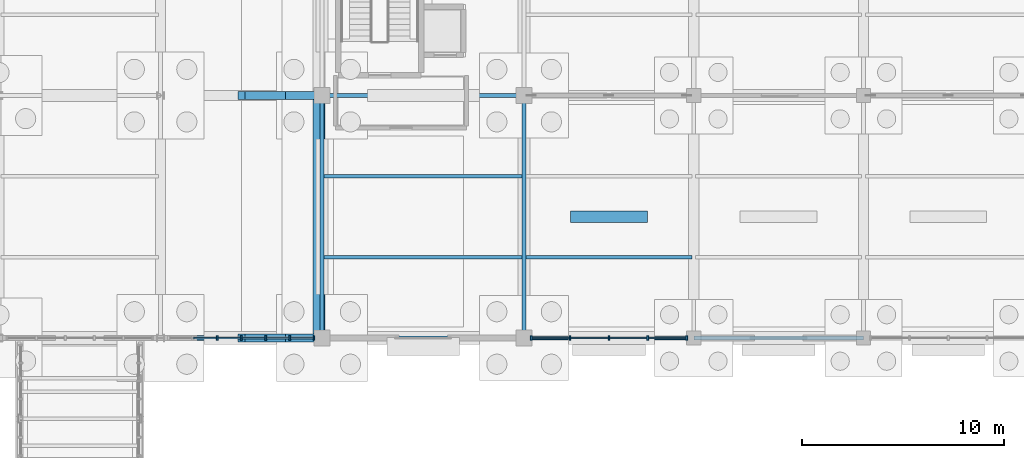
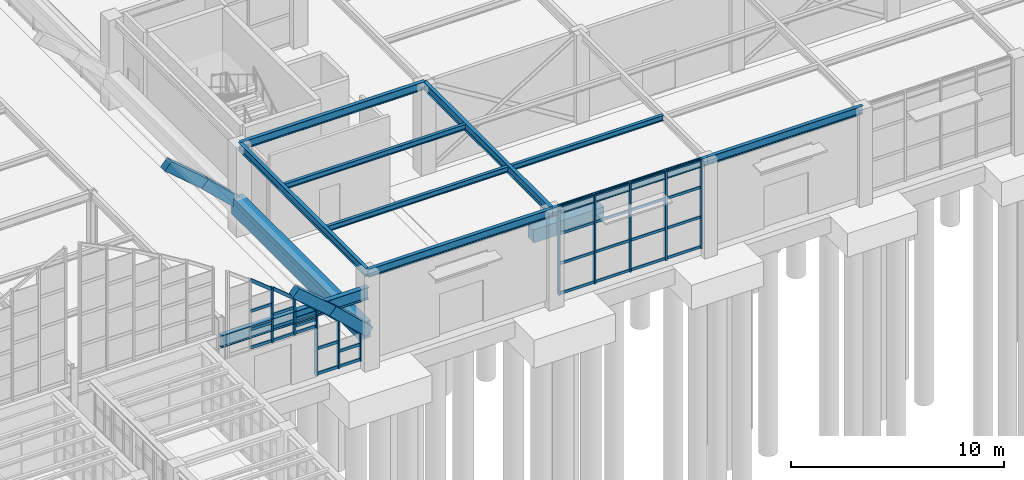
# One storey, part 46 of 129: 45 members, 16 beams, 3 elements without a shape of their own.
"""IFC4 building model written with IfcOpenShell, lengths in metres."""

from ifc_helpers import new_model, si_unit, direction, frame, origin, origin_2d, place, context, subcontext, project, spatial, rectangle, i_section, extrude, material, layer, layer_set, material_profile, profile_set, type_object, element, aggregate, save


model = new_model("IFC4")

# Units and contexts
model_context = context("Model", 3, precision=1e-05, world=origin(), true_north=direction((0.0, 1.0)))
body_context = subcontext(model_context, "Body", "Model", "MODEL_VIEW")
ifc_project = project(units=[si_unit("LENGTHUNIT", "METRE"), si_unit("AREAUNIT", "SQUARE_METRE"), si_unit("VOLUMEUNIT", "CUBIC_METRE"), si_unit("PLANEANGLEUNIT", "RADIAN"), si_unit("MASSUNIT", "GRAM", prefix="KILO")], contexts=[model_context])

# Site, building, storey
site_placement = place(None, origin())
site = spatial("IfcSite", under=ifc_project, at=site_placement, CompositionType="ELEMENT")
building_placement = place(site_placement, origin())
building = spatial("IfcBuilding", under=site, at=building_placement, Name="Sitalva Quay Ferry Terminal", CompositionType="ELEMENT")
storey_placement = place(building_placement, origin())
storey = spatial("IfcBuildingStorey", under=building, at=storey_placement, Name="L01", CompositionType="ELEMENT", Elevation=0.0)

# Beams
ifc_material_1 = material(Name="Concrete C40/50", Category="concrete")
ifc_material_profile_1 = material_profile(ifc_material_1, rectangle(XDim=0.39990234375, YDim=0.550048828125, at=origin_2d()), Name="RC400x550")
ifc_profile_set_1 = profile_set([ifc_material_profile_1], Name="Concrete C40/50")
beam_type_1 = type_object("IfcBeamType", Name="Beam_Arch_RC400x550", PredefinedType="BEAM", material=ifc_profile_set_1)
beam_1_placement = place(storey_placement, frame((70.0, 6.0, 5.219482421875), z_axis=(0.760297282494, 0.0, -0.649575278342), x_axis=(0.0, 1.0, 0.0)))
element("IfcBeam", 1, at=beam_1_placement, inside=storey, type_object=beam_type_1, Name="Vault V1 transverse arch rib 1.15", PredefinedType="BEAM", context=body_context, shape_type="SweptSolid", body=[
    extrude(rectangle(XDim=0.39990234375, YDim=0.550048828125, at=origin_2d()), origin(), (0.0, 0.0, 1.0), 2.630615234375),
])
beam_2_placement = place(storey_placement, frame((72.0, 6.0, 3.500732421875), z_axis=(0.725680279623, 0.0, -0.688032071757), x_axis=(0.0, 1.0, 0.0)))
element("IfcBeam", 2, at=beam_2_placement, inside=storey, type_object=beam_type_1, Name="Vault V1 transverse arch rib 1.16", PredefinedType="BEAM", context=body_context, shape_type="SweptSolid", body=[
    extrude(rectangle(XDim=0.39990234375, YDim=0.550048828125, at=origin_2d()), origin(), (0.0, 0.0, 1.0), 2.756103515625),
])
beam_3_placement = place(storey_placement, frame((70.0, 18.0, 5.219482421875), z_axis=(0.760297282494, 0.0, -0.649575278342), x_axis=(0.0, 1.0, 0.0)))
element("IfcBeam", 3, at=beam_3_placement, inside=storey, type_object=beam_type_1, Name="Vault V1 transverse arch rib 2.15", PredefinedType="BEAM", context=body_context, shape_type="SweptSolid", body=[
    extrude(rectangle(XDim=0.39990234375, YDim=0.550048828125, at=origin_2d()), origin(), (0.0, 0.0, 1.0), 2.630615234375),
])
beam_4_placement = place(storey_placement, frame((72.0, 18.0, 3.500732421875), z_axis=(0.725680279623, 0.0, -0.688032071757), x_axis=(0.0, 1.0, 0.0)))
element("IfcBeam", 4, at=beam_4_placement, inside=storey, type_object=beam_type_1, Name="Vault V1 transverse arch rib 2.16", PredefinedType="BEAM", context=body_context, shape_type="SweptSolid", body=[
    extrude(rectangle(XDim=0.39990234375, YDim=0.550048828125, at=origin_2d()), origin(), (0.0, 0.0, 1.0), 2.756103515625),
])
ifc_material_2 = material(Name="Concrete C40/50", Category="concrete")
ifc_material_profile_2 = material_profile(ifc_material_2, rectangle(XDim=0.60009765625, YDim=0.949951171875, at=origin_2d()), Name="RC600x950")
ifc_profile_set_2 = profile_set([ifc_material_profile_2], Name="Concrete C40/50")
beam_type_2 = type_object("IfcBeamType", Name="Beam_Edge_RC600x950", PredefinedType="BEAM", material=ifc_profile_set_2)
beam_5_placement = place(storey_placement, frame((73.85009765625, 6.0, 1.625), z_axis=(0.0, 1.0, 0.0), x_axis=(-1.0, 0.0, 0.0)))
element("IfcBeam", 5, at=beam_5_placement, inside=storey, type_object=beam_type_2, Name="Vault V1 longitudinal springing edge beam E bay 1", PredefinedType="BEAM", context=body_context, shape_type="SweptSolid", body=[
    extrude(rectangle(XDim=0.60009765625, YDim=0.949951171875, at=origin_2d()), origin(), (0.0, 0.0, 1.0), 12.0),
])
ifc_material_3 = material(Name="Structural Steel S355JR", Category="steel")
ifc_material_profile_3 = material_profile(ifc_material_3, i_section(OverallWidth=0.19091796875, OverallDepth=0.4599609375, WebThickness=0.010009765625, FlangeThickness=0.01611328125, FilletRadius=0.013916015625, at=origin_2d()), Name="W460x82")
ifc_profile_set_3 = profile_set([ifc_material_profile_3], Name="Structural Steel S355JR")
beam_type_3 = type_object("IfcBeamType", Name="Beam_W460x82", PredefinedType="BEAM", material=ifc_profile_set_3)
for number, where, z_axis, x_axis, name in (
    (6, (74.0, 6.0, 4.889892578125), (1.0, 0.0, 0.0), (0.0, 1.0, 0.0), "L01 Primary X girder 0173"),
    (7, (74.0, 18.0, 4.889892578125), (1.0, 0.0, 0.0), (0.0, 1.0, 0.0), "L01 Primary X girder 0174"),
):
    element("IfcBeam", number, at=place(storey_placement, frame(where, z_axis=z_axis, x_axis=x_axis)), inside=storey, type_object=beam_type_3, Name=name, PredefinedType="BEAM", context=body_context, shape_type="SweptSolid", body=[
        extrude(i_section(OverallWidth=0.19091796875, OverallDepth=0.4599609375, WebThickness=0.010009765625, FlangeThickness=0.01611328125, FilletRadius=0.013916015625, at=origin_2d()), origin(), (0.0, 0.0, 1.0), 10.0),
    ])
for number, where, z_axis, x_axis, name in (
    (8, (74.0, 6.0, 4.889892578125), (0.0, 1.0, 0.0), (-1.0, 0.0, 0.0), "L01 Primary Y girder 0176"),
    (9, (84.0, 6.0, 4.889892578125), (0.0, 1.0, 0.0), (-1.0, 0.0, 0.0), "L01 Primary Y girder 0178"),
):
    element("IfcBeam", number, at=place(storey_placement, frame(where, z_axis=z_axis, x_axis=x_axis)), inside=storey, type_object=beam_type_3, Name=name, PredefinedType="BEAM", context=body_context, shape_type="SweptSolid", body=[
        extrude(i_section(OverallWidth=0.19091796875, OverallDepth=0.4599609375, WebThickness=0.010009765625, FlangeThickness=0.01611328125, FilletRadius=0.013916015625, at=origin_2d()), origin(), (0.0, 0.0, 1.0), 12.0),
    ])
beam_6_placement = place(storey_placement, frame((84.0, 6.0, 4.889892578125), z_axis=(1.0, 0.0, 0.0), x_axis=(0.0, 1.0, 0.0)))
element("IfcBeam", 10, at=beam_6_placement, inside=storey, type_object=beam_type_3, Name="L01 Primary X girder 0187", PredefinedType="BEAM", context=body_context, shape_type="SweptSolid", body=[
    extrude(i_section(OverallWidth=0.19091796875, OverallDepth=0.4599609375, WebThickness=0.010009765625, FlangeThickness=0.01611328125, FilletRadius=0.013916015625, at=origin_2d()), origin(), (0.0, 0.0, 1.0), 8.39990234375),
])
beam_7_placement = place(storey_placement, frame((92.39990234375, 6.0, 4.889892578125), z_axis=(1.0, 0.0, 0.0), x_axis=(0.0, 1.0, 0.0)))
element("IfcBeam", 11, at=beam_7_placement, inside=storey, type_object=beam_type_3, Name="L01 Primary X girder 0188", PredefinedType="BEAM", context=body_context, shape_type="SweptSolid", body=[
    extrude(i_section(OverallWidth=0.19091796875, OverallDepth=0.4599609375, WebThickness=0.010009765625, FlangeThickness=0.01611328125, FilletRadius=0.013916015625, at=origin_2d()), origin(), (0.0, 0.0, 1.0), 8.400146484375),
])
ifc_material_4 = material(Name="Structural Steel S355JR", Category="steel")
ifc_material_profile_4 = material_profile(ifc_material_4, i_section(OverallWidth=0.256103515625, OverallDepth=0.693115234375, WebThickness=0.014404296875, FlangeThickness=0.023681640625, FilletRadius=0.01806640625, at=origin_2d()), Name="W690x170")
ifc_profile_set_4 = profile_set([ifc_material_profile_4], Name="Structural Steel S355JR")
beam_type_4 = type_object("IfcBeamType", Name="Girder_W690x170", PredefinedType="USERDEFINED", material=ifc_profile_set_4)
beam_8_placement = place(storey_placement, frame((66.0, 6.0, 3.783447265625), z_axis=(1.0, 0.0, 0.0), x_axis=(0.0, 1.0, 0.0)))
element("IfcBeam", 12, at=beam_8_placement, inside=storey, type_object=beam_type_4, Name="L01 V1 south gable east portal header 0004", ObjectType="GIRDER", PredefinedType="USERDEFINED", context=body_context, shape_type="SweptSolid", body=[
    extrude(i_section(OverallWidth=0.256103515625, OverallDepth=0.693115234375, WebThickness=0.014404296875, FlangeThickness=0.023681640625, FilletRadius=0.01806640625, at=origin_2d()), origin(), (0.0, 0.0, 1.0), 8.0),
])
ifc_material_5 = material(Name="Structural Steel S355JR", Category="steel")
ifc_material_profile_5 = material_profile(ifc_material_5, i_section(OverallWidth=0.166015625, OverallDepth=0.31298828125, WebThickness=0.006591796875, FlangeThickness=0.01123046875, FilletRadius=0.010986328125, at=origin_2d()), Name="W310x45")
ifc_profile_set_5 = profile_set([ifc_material_profile_5], Name="Structural Steel S355JR")
beam_type_5 = type_object("IfcBeamType", Name="Joist_W310x45", PredefinedType="JOIST", material=ifc_profile_set_5)
for number, where, z_axis, x_axis, name in (
    (13, (74.095458984375, 10.0, 4.96337890625), (1.0, 0.0, 0.0), (0.0, 1.0, 0.0), "L01 Secondary joist 0180"),
    (14, (74.095458984375, 14.0, 4.96337890625), (1.0, 0.0, 0.0), (0.0, 1.0, 0.0), "L01 Secondary joist 0181"),
):
    element("IfcBeam", number, at=place(storey_placement, frame(where, z_axis=z_axis, x_axis=x_axis)), inside=storey, type_object=beam_type_5, Name=name, PredefinedType="JOIST", context=body_context, shape_type="SweptSolid", body=[
        extrude(i_section(OverallWidth=0.166015625, OverallDepth=0.31298828125, WebThickness=0.006591796875, FlangeThickness=0.01123046875, FilletRadius=0.010986328125, at=origin_2d()), origin(), (0.0, 0.0, 1.0), 9.80908203125),
    ])
beam_9_placement = place(storey_placement, frame((84.095458984375, 10.0, 4.96337890625), z_axis=(1.0, 0.0, 0.0), x_axis=(0.0, 1.0, 0.0)))
element("IfcBeam", 15, at=beam_9_placement, inside=storey, type_object=beam_type_5, Name="L01 Secondary joist 0217", PredefinedType="JOIST", context=body_context, shape_type="SweptSolid", body=[
    extrude(i_section(OverallWidth=0.166015625, OverallDepth=0.31298828125, WebThickness=0.006591796875, FlangeThickness=0.01123046875, FilletRadius=0.010986328125, at=origin_2d()), origin(), (0.0, 0.0, 1.0), 8.208984375),
])

# Curtain wall, members
ifc_material_6 = material(Name="Anodised Aluminium & Low-E Glazing", Category="aluminium")
ifc_layer_1 = layer(ifc_material_6, 0.159912109375)
ifc_layer_set_1 = layer_set([ifc_layer_1], Name="Anodised Aluminium & Low-E Glazing")
curtain_wall_type_1 = type_object("IfcCurtainWallType", Name="CW_Concourse_Unitised", PredefinedType="USERDEFINED", material=ifc_layer_set_1)
curtain_wall_1_placement = place(storey_placement, origin())
curtain_wall_1 = element("IfcCurtainWall", 16, at=curtain_wall_1_placement, inside=storey, type_object=curtain_wall_type_1, Name="South-east quay concourse curtain wall (CW-L01-058)", ObjectType="CURTAIN_WALL", PredefinedType="USERDEFINED")
ifc_material_7 = material(Name="Anodised Aluminium 6063-T6", Category="aluminium")
ifc_material_profile_6 = material_profile(ifc_material_7, rectangle(XDim=0.0849609375, YDim=0.2099609375, at=origin_2d()), Name="ALU85x210")
ifc_profile_set_6 = profile_set([ifc_material_profile_6], Name="Anodised Aluminium 6063-T6")
member_type_1 = type_object("IfcMemberType", Name="Mullion_Alu_85x210", PredefinedType="MULLION", material=ifc_profile_set_6)
member_1_placement = place(storey_placement, frame((84.35009765625, 6.0, 0.0), z_axis=(0.0, 0.0, 1.0), x_axis=(1.0, 0.0, 0.0)))
member_1 = element("IfcMember", 17, at=member_1_placement, type_object=member_type_1, Name="CW-L01-058-M0", PredefinedType="MULLION", context=body_context, shape_type="SweptSolid", body=[
    extrude(rectangle(XDim=0.0849609375, YDim=0.2099609375, at=origin_2d()), origin(), (0.0, 0.0, 1.0), 5.1201171875),
])
member_2_placement = place(storey_placement, frame((86.27490234375, 6.0, 0.0), z_axis=(0.0, 0.0, 1.0), x_axis=(1.0, 0.0, 0.0)))
member_2 = element("IfcMember", 18, at=member_2_placement, type_object=member_type_1, Name="CW-L01-058-M1", PredefinedType="MULLION", context=body_context, shape_type="SweptSolid", body=[
    extrude(rectangle(XDim=0.0849609375, YDim=0.2099609375, at=origin_2d()), origin(), (0.0, 0.0, 1.0), 5.1201171875),
])
member_3_placement = place(storey_placement, frame((88.199951171875, 6.0, 0.0), z_axis=(0.0, 0.0, 1.0), x_axis=(1.0, 0.0, 0.0)))
member_3 = element("IfcMember", 19, at=member_3_placement, type_object=member_type_1, Name="CW-L01-058-M2", PredefinedType="MULLION", context=body_context, shape_type="SweptSolid", body=[
    extrude(rectangle(XDim=0.0849609375, YDim=0.2099609375, at=origin_2d()), origin(), (0.0, 0.0, 1.0), 5.1201171875),
])
member_4_placement = place(storey_placement, frame((90.125, 6.0, 0.0), z_axis=(0.0, 0.0, 1.0), x_axis=(1.0, 0.0, 0.0)))
member_4 = element("IfcMember", 20, at=member_4_placement, type_object=member_type_1, Name="CW-L01-058-M3", PredefinedType="MULLION", context=body_context, shape_type="SweptSolid", body=[
    extrude(rectangle(XDim=0.0849609375, YDim=0.2099609375, at=origin_2d()), origin(), (0.0, 0.0, 1.0), 5.1201171875),
])
member_5_placement = place(storey_placement, frame((92.050048828125, 6.0, 0.0), z_axis=(0.0, 0.0, 1.0), x_axis=(1.0, 0.0, 0.0)))
member_5 = element("IfcMember", 21, at=member_5_placement, type_object=member_type_1, Name="CW-L01-058-M4", PredefinedType="MULLION", context=body_context, shape_type="SweptSolid", body=[
    extrude(rectangle(XDim=0.0849609375, YDim=0.2099609375, at=origin_2d()), origin(), (0.0, 0.0, 1.0), 5.1201171875),
])

ifc_material_8 = material(Name="Anodised Aluminium & Low-E Glazing", Category="aluminium")
ifc_layer_2 = layer(ifc_material_8, 0.159912109375)
ifc_layer_set_2 = layer_set([ifc_layer_2], Name="Anodised Aluminium & Low-E Glazing")
curtain_wall_type_2 = type_object("IfcCurtainWallType", Name="CW_Gable_Unitised", PredefinedType="USERDEFINED", material=ifc_layer_set_2)
curtain_wall_2_placement = place(storey_placement, origin())
curtain_wall_2 = element("IfcCurtainWall", 22, at=curtain_wall_2_placement, inside=storey, type_object=curtain_wall_type_2, Name="V1 south gable east pointed glazing (CW-L01-008)", ObjectType="CURTAIN_WALL", PredefinedType="USERDEFINED")
ifc_material_9 = material(Name="Anodised Aluminium 6063-T6", Category="aluminium")
ifc_material_profile_7 = material_profile(ifc_material_9, rectangle(XDim=0.090087890625, YDim=0.199951171875, at=origin_2d()), Name="ALU90x200")
ifc_profile_set_7 = profile_set([ifc_material_profile_7], Name="Anodised Aluminium 6063-T6")
member_type_2 = type_object("IfcMemberType", Name="Mullion_Alu_90x200", PredefinedType="MULLION", material=ifc_profile_set_7)
member_6_placement = place(storey_placement, frame((68.800048828125, 6.0, 2.75), z_axis=(0.0, 0.0, 1.0), x_axis=(1.0, 0.0, 0.0)))
member_6 = element("IfcMember", 23, at=member_6_placement, type_object=member_type_2, Name="CW-L01-008-M2", PredefinedType="MULLION", context=body_context, shape_type="SweptSolid", body=[
    extrude(rectangle(XDim=0.090087890625, YDim=0.199951171875, at=origin_2d()), origin(), (0.0, 0.0, 1.0), 3.131103515625),
])
member_7_placement = place(storey_placement, frame((70.0, 6.0, 2.75), z_axis=(0.0, 0.0, 1.0), x_axis=(1.0, 0.0, 0.0)))
member_7 = element("IfcMember", 24, at=member_7_placement, type_object=member_type_2, Name="CW-L01-008-M3", PredefinedType="MULLION", context=body_context, shape_type="SweptSolid", body=[
    extrude(rectangle(XDim=0.090087890625, YDim=0.199951171875, at=origin_2d()), origin(), (0.0, 0.0, 1.0), 2.204833984375),
])
member_8_placement = place(storey_placement, frame((71.199951171875, 6.0, 2.75), z_axis=(0.0, 0.0, 1.0), x_axis=(1.0, 0.0, 0.0)))
member_8 = element("IfcMember", 25, at=member_8_placement, type_object=member_type_2, Name="CW-L01-008-M4", PredefinedType="MULLION", context=body_context, shape_type="SweptSolid", body=[
    extrude(rectangle(XDim=0.090087890625, YDim=0.199951171875, at=origin_2d()), origin(), (0.0, 0.0, 1.0), 1.1796875),
])

curtain_wall_3_placement = place(storey_placement, origin())
curtain_wall_3 = element("IfcCurtainWall", 26, at=curtain_wall_3_placement, inside=storey, type_object=curtain_wall_type_2, Name="V1 south gable east eaves glazing (CW-L01-009)", ObjectType="CURTAIN_WALL", PredefinedType="USERDEFINED")
member_9_placement = place(storey_placement, frame((71.199951171875, 6.0, 0.0), z_axis=(0.0, 0.0, 1.0), x_axis=(1.0, 0.0, 0.0)))
member_9 = element("IfcMember", 27, at=member_9_placement, type_object=member_type_2, Name="CW-L01-009-M0", PredefinedType="MULLION", context=body_context, shape_type="SweptSolid", body=[
    extrude(rectangle(XDim=0.090087890625, YDim=0.199951171875, at=origin_2d()), origin(), (0.0, 0.0, 1.0), 3.9296875),
])
member_10_placement = place(storey_placement, frame((72.39990234375, 6.0, 0.0), z_axis=(0.0, 0.0, 1.0), x_axis=(1.0, 0.0, 0.0)))
member_10 = element("IfcMember", 28, at=member_10_placement, type_object=member_type_2, Name="CW-L01-009-M1", PredefinedType="MULLION", context=body_context, shape_type="SweptSolid", body=[
    extrude(rectangle(XDim=0.090087890625, YDim=0.199951171875, at=origin_2d()), origin(), (0.0, 0.0, 1.0), 2.866943359375),
])
member_11_placement = place(storey_placement, frame((73.60009765625, 6.0, 0.0), z_axis=(0.0, 0.0, 1.0), x_axis=(1.0, 0.0, 0.0)))
member_11 = element("IfcMember", 29, at=member_11_placement, type_object=member_type_2, Name="CW-L01-009-M2", PredefinedType="MULLION", context=body_context, shape_type="SweptSolid", body=[
    extrude(rectangle(XDim=0.090087890625, YDim=0.199951171875, at=origin_2d()), origin(), (0.0, 0.0, 1.0), 1.729248046875),
])

# Beam
ifc_material_10 = material(Name="Concrete C35/45", Category="concrete")
ifc_material_profile_8 = material_profile(ifc_material_10, rectangle(XDim=0.550048828125, YDim=0.75, at=origin_2d()), Name="RC550x750")
ifc_profile_set_8 = profile_set([ifc_material_profile_8], Name="Concrete C35/45")
beam_type_6 = type_object("IfcBeamType", Name="TBeam_Quay_RC550x750", PredefinedType="T_BEAM", material=ifc_profile_set_8)
beam_10_placement = place(storey_placement, frame((86.300048828125, 12.0, -0.824951171875), z_axis=(1.0, 0.0, 0.0), x_axis=(0.0, 1.0, 0.0)))
element("IfcBeam", 30, at=beam_10_placement, inside=storey, type_object=beam_type_6, Name="L01 Ro-Ro quay deck T-beam 0038", PredefinedType="T_BEAM", context=body_context, shape_type="SweptSolid", body=[
    extrude(rectangle(XDim=0.550048828125, YDim=0.75, at=origin_2d()), origin(), (0.0, 0.0, 1.0), 3.800048828125),
])

# Member
ifc_material_11 = material(Name="Anodised Aluminium 6063-T6", Category="aluminium")
ifc_material_profile_9 = material_profile(ifc_material_11, rectangle(XDim=0.074951171875, YDim=0.14990234375, at=origin_2d()), Name="ALU75x150")
ifc_profile_set_9 = profile_set([ifc_material_profile_9], Name="Anodised Aluminium 6063-T6")
member_type_3 = type_object("IfcMemberType", Name="Transom_Alu_75x140", PredefinedType="MULLION", material=ifc_profile_set_9)
member_12_placement = place(storey_placement, frame((84.392578125, 6.0, 0.074951171875), z_axis=(1.0, 0.0, 0.0), x_axis=(0.0, 1.0, 0.0)))
member_12 = element("IfcMember", 31, at=member_12_placement, type_object=member_type_3, Name="CW-L01-058-T0-0", ObjectType="TRANSOM", PredefinedType="USERDEFINED", context=body_context, shape_type="SweptSolid", body=[
    extrude(rectangle(XDim=0.074951171875, YDim=0.14990234375, at=origin_2d()), origin(), (0.0, 0.0, 1.0), 1.83984375),
])

member_13_placement = place(storey_placement, frame((84.392578125, 6.0, 1.78173828125), z_axis=(1.0, 0.0, 0.0), x_axis=(0.0, 1.0, 0.0)))
member_13 = element("IfcMember", 32, at=member_13_placement, type_object=member_type_3, Name="CW-L01-058-T0-1", ObjectType="TRANSOM", PredefinedType="USERDEFINED", context=body_context, shape_type="SweptSolid", body=[
    extrude(rectangle(XDim=0.074951171875, YDim=0.14990234375, at=origin_2d()), origin(), (0.0, 0.0, 1.0), 1.83984375),
])

member_14_placement = place(storey_placement, frame((84.392578125, 6.0, 3.48828125), z_axis=(1.0, 0.0, 0.0), x_axis=(0.0, 1.0, 0.0)))
member_14 = element("IfcMember", 33, at=member_14_placement, type_object=member_type_3, Name="CW-L01-058-T0-2", ObjectType="TRANSOM", PredefinedType="USERDEFINED", context=body_context, shape_type="SweptSolid", body=[
    extrude(rectangle(XDim=0.074951171875, YDim=0.14990234375, at=origin_2d()), origin(), (0.0, 0.0, 1.0), 1.83984375),
])

member_15_placement = place(storey_placement, frame((84.392578125, 6.0, 5.044921875), z_axis=(1.0, 0.0, 0.0), x_axis=(0.0, 1.0, 0.0)))
member_15 = element("IfcMember", 34, at=member_15_placement, type_object=member_type_3, Name="CW-L01-058-T0-3", ObjectType="TRANSOM", PredefinedType="USERDEFINED", context=body_context, shape_type="SweptSolid", body=[
    extrude(rectangle(XDim=0.074951171875, YDim=0.14990234375, at=origin_2d()), origin(), (0.0, 0.0, 1.0), 1.83984375),
])

member_16_placement = place(storey_placement, frame((86.3173828125, 6.0, 0.074951171875), z_axis=(1.0, 0.0, 0.0), x_axis=(0.0, 1.0, 0.0)))
member_16 = element("IfcMember", 35, at=member_16_placement, type_object=member_type_3, Name="CW-L01-058-T1-0", ObjectType="TRANSOM", PredefinedType="USERDEFINED", context=body_context, shape_type="SweptSolid", body=[
    extrude(rectangle(XDim=0.074951171875, YDim=0.14990234375, at=origin_2d()), origin(), (0.0, 0.0, 1.0), 1.840087890625),
])

member_17_placement = place(storey_placement, frame((86.3173828125, 6.0, 1.78173828125), z_axis=(1.0, 0.0, 0.0), x_axis=(0.0, 1.0, 0.0)))
member_17 = element("IfcMember", 36, at=member_17_placement, type_object=member_type_3, Name="CW-L01-058-T1-1", ObjectType="TRANSOM", PredefinedType="USERDEFINED", context=body_context, shape_type="SweptSolid", body=[
    extrude(rectangle(XDim=0.074951171875, YDim=0.14990234375, at=origin_2d()), origin(), (0.0, 0.0, 1.0), 1.840087890625),
])

member_18_placement = place(storey_placement, frame((86.3173828125, 6.0, 3.48828125), z_axis=(1.0, 0.0, 0.0), x_axis=(0.0, 1.0, 0.0)))
member_18 = element("IfcMember", 37, at=member_18_placement, type_object=member_type_3, Name="CW-L01-058-T1-2", ObjectType="TRANSOM", PredefinedType="USERDEFINED", context=body_context, shape_type="SweptSolid", body=[
    extrude(rectangle(XDim=0.074951171875, YDim=0.14990234375, at=origin_2d()), origin(), (0.0, 0.0, 1.0), 1.840087890625),
])

member_19_placement = place(storey_placement, frame((86.3173828125, 6.0, 5.044921875), z_axis=(1.0, 0.0, 0.0), x_axis=(0.0, 1.0, 0.0)))
member_19 = element("IfcMember", 38, at=member_19_placement, type_object=member_type_3, Name="CW-L01-058-T1-3", ObjectType="TRANSOM", PredefinedType="USERDEFINED", context=body_context, shape_type="SweptSolid", body=[
    extrude(rectangle(XDim=0.074951171875, YDim=0.14990234375, at=origin_2d()), origin(), (0.0, 0.0, 1.0), 1.840087890625),
])

member_20_placement = place(storey_placement, frame((88.242431640625, 6.0, 0.074951171875), z_axis=(1.0, 0.0, 0.0), x_axis=(0.0, 1.0, 0.0)))
member_20 = element("IfcMember", 39, at=member_20_placement, type_object=member_type_3, Name="CW-L01-058-T2-0", ObjectType="TRANSOM", PredefinedType="USERDEFINED", context=body_context, shape_type="SweptSolid", body=[
    extrude(rectangle(XDim=0.074951171875, YDim=0.14990234375, at=origin_2d()), origin(), (0.0, 0.0, 1.0), 1.840087890625),
])

member_21_placement = place(storey_placement, frame((88.242431640625, 6.0, 1.78173828125), z_axis=(1.0, 0.0, 0.0), x_axis=(0.0, 1.0, 0.0)))
member_21 = element("IfcMember", 40, at=member_21_placement, type_object=member_type_3, Name="CW-L01-058-T2-1", ObjectType="TRANSOM", PredefinedType="USERDEFINED", context=body_context, shape_type="SweptSolid", body=[
    extrude(rectangle(XDim=0.074951171875, YDim=0.14990234375, at=origin_2d()), origin(), (0.0, 0.0, 1.0), 1.840087890625),
])

member_22_placement = place(storey_placement, frame((88.242431640625, 6.0, 3.48828125), z_axis=(1.0, 0.0, 0.0), x_axis=(0.0, 1.0, 0.0)))
member_22 = element("IfcMember", 41, at=member_22_placement, type_object=member_type_3, Name="CW-L01-058-T2-2", ObjectType="TRANSOM", PredefinedType="USERDEFINED", context=body_context, shape_type="SweptSolid", body=[
    extrude(rectangle(XDim=0.074951171875, YDim=0.14990234375, at=origin_2d()), origin(), (0.0, 0.0, 1.0), 1.840087890625),
])

member_23_placement = place(storey_placement, frame((88.242431640625, 6.0, 5.044921875), z_axis=(1.0, 0.0, 0.0), x_axis=(0.0, 1.0, 0.0)))
member_23 = element("IfcMember", 42, at=member_23_placement, type_object=member_type_3, Name="CW-L01-058-T2-3", ObjectType="TRANSOM", PredefinedType="USERDEFINED", context=body_context, shape_type="SweptSolid", body=[
    extrude(rectangle(XDim=0.074951171875, YDim=0.14990234375, at=origin_2d()), origin(), (0.0, 0.0, 1.0), 1.840087890625),
])

member_24_placement = place(storey_placement, frame((90.16748046875, 6.0, 0.074951171875), z_axis=(1.0, 0.0, 0.0), x_axis=(0.0, 1.0, 0.0)))
member_24 = element("IfcMember", 43, at=member_24_placement, type_object=member_type_3, Name="CW-L01-058-T3-0", ObjectType="TRANSOM", PredefinedType="USERDEFINED", context=body_context, shape_type="SweptSolid", body=[
    extrude(rectangle(XDim=0.074951171875, YDim=0.14990234375, at=origin_2d()), origin(), (0.0, 0.0, 1.0), 1.840087890625),
])

member_25_placement = place(storey_placement, frame((90.16748046875, 6.0, 1.78173828125), z_axis=(1.0, 0.0, 0.0), x_axis=(0.0, 1.0, 0.0)))
member_25 = element("IfcMember", 44, at=member_25_placement, type_object=member_type_3, Name="CW-L01-058-T3-1", ObjectType="TRANSOM", PredefinedType="USERDEFINED", context=body_context, shape_type="SweptSolid", body=[
    extrude(rectangle(XDim=0.074951171875, YDim=0.14990234375, at=origin_2d()), origin(), (0.0, 0.0, 1.0), 1.840087890625),
])

member_26_placement = place(storey_placement, frame((90.16748046875, 6.0, 3.48828125), z_axis=(1.0, 0.0, 0.0), x_axis=(0.0, 1.0, 0.0)))
member_26 = element("IfcMember", 45, at=member_26_placement, type_object=member_type_3, Name="CW-L01-058-T3-2", ObjectType="TRANSOM", PredefinedType="USERDEFINED", context=body_context, shape_type="SweptSolid", body=[
    extrude(rectangle(XDim=0.074951171875, YDim=0.14990234375, at=origin_2d()), origin(), (0.0, 0.0, 1.0), 1.840087890625),
])

member_27_placement = place(storey_placement, frame((90.16748046875, 6.0, 5.044921875), z_axis=(1.0, 0.0, 0.0), x_axis=(0.0, 1.0, 0.0)))
member_27 = element("IfcMember", 46, at=member_27_placement, type_object=member_type_3, Name="CW-L01-058-T3-3", ObjectType="TRANSOM", PredefinedType="USERDEFINED", context=body_context, shape_type="SweptSolid", body=[
    extrude(rectangle(XDim=0.074951171875, YDim=0.14990234375, at=origin_2d()), origin(), (0.0, 0.0, 1.0), 1.840087890625),
])

aggregate(curtain_wall_1, [member_1, member_2, member_3, member_4, member_5, member_12, member_13, member_14, member_15, member_16, member_17, member_18, member_19, member_20, member_21, member_22, member_23, member_24, member_25, member_26, member_27])

ifc_material_12 = material(Name="Anodised Aluminium 6063-T6", Category="aluminium")
ifc_material_profile_10 = material_profile(ifc_material_12, rectangle(XDim=0.080078125, YDim=0.1650390625, at=origin_2d()), Name="ALU80x165")
ifc_profile_set_10 = profile_set([ifc_material_profile_10], Name="Anodised Aluminium 6063-T6")
member_type_4 = type_object("IfcMemberType", Name="Transom_Alu_80x165", PredefinedType="MULLION", material=ifc_profile_set_10)
member_28_placement = place(storey_placement, frame((67.64501953125, 6.0, 2.83251953125), z_axis=(1.0, 0.0, 0.0), x_axis=(0.0, 1.0, 0.0)))
member_28 = element("IfcMember", 47, at=member_28_placement, type_object=member_type_4, Name="CW-L01-008-T1-0", ObjectType="TRANSOM", PredefinedType="USERDEFINED", context=body_context, shape_type="SweptSolid", body=[
    extrude(rectangle(XDim=0.080078125, YDim=0.1650390625, at=origin_2d()), origin(), (0.0, 0.0, 1.0), 1.10986328125),
])

member_29_placement = place(storey_placement, frame((67.64501953125, 6.0, 3.876220703125), z_axis=(1.0, 0.0, 0.0), x_axis=(0.0, 1.0, 0.0)))
member_29 = element("IfcMember", 48, at=member_29_placement, type_object=member_type_4, Name="CW-L01-008-T1-1", ObjectType="TRANSOM", PredefinedType="USERDEFINED", context=body_context, shape_type="SweptSolid", body=[
    extrude(rectangle(XDim=0.080078125, YDim=0.1650390625, at=origin_2d()), origin(), (0.0, 0.0, 1.0), 1.10986328125),
])

member_30_placement = place(storey_placement, frame((67.64501953125, 6.0, 4.919921875), z_axis=(1.0, 0.0, 0.0), x_axis=(0.0, 1.0, 0.0)))
member_30 = element("IfcMember", 49, at=member_30_placement, type_object=member_type_4, Name="CW-L01-008-T1-2", ObjectType="TRANSOM", PredefinedType="USERDEFINED", context=body_context, shape_type="SweptSolid", body=[
    extrude(rectangle(XDim=0.080078125, YDim=0.1650390625, at=origin_2d()), origin(), (0.0, 0.0, 1.0), 1.10986328125),
])

member_31_placement = place(storey_placement, frame((67.64501953125, 6.0, 6.695556640625), z_axis=(0.777754590755, 0.0, -0.628568052449), x_axis=(0.0, 1.0, 0.0)))
member_31 = element("IfcMember", 50, at=member_31_placement, type_object=member_type_4, Name="CW-L01-008-T1-3", ObjectType="TRANSOM", PredefinedType="USERDEFINED", context=body_context, shape_type="SweptSolid", body=[
    extrude(rectangle(XDim=0.080078125, YDim=0.1650390625, at=origin_2d()), origin(), (0.0, 0.0, 1.0), 1.427001953125),
])

member_32_placement = place(storey_placement, frame((68.844970703125, 6.0, 2.83251953125), z_axis=(1.0, 0.0, 0.0), x_axis=(0.0, 1.0, 0.0)))
member_32 = element("IfcMember", 51, at=member_32_placement, type_object=member_type_4, Name="CW-L01-008-T2-0", ObjectType="TRANSOM", PredefinedType="USERDEFINED", context=body_context, shape_type="SweptSolid", body=[
    extrude(rectangle(XDim=0.080078125, YDim=0.1650390625, at=origin_2d()), origin(), (0.0, 0.0, 1.0), 1.110107421875),
])

member_33_placement = place(storey_placement, frame((68.844970703125, 6.0, 3.5673828125), z_axis=(1.0, 0.0, 0.0), x_axis=(0.0, 1.0, 0.0)))
member_33 = element("IfcMember", 52, at=member_33_placement, type_object=member_type_4, Name="CW-L01-008-T2-1", ObjectType="TRANSOM", PredefinedType="USERDEFINED", context=body_context, shape_type="SweptSolid", body=[
    extrude(rectangle(XDim=0.080078125, YDim=0.1650390625, at=origin_2d()), origin(), (0.0, 0.0, 1.0), 1.110107421875),
])

member_34_placement = place(storey_placement, frame((68.844970703125, 6.0, 4.302490234375), z_axis=(1.0, 0.0, 0.0), x_axis=(0.0, 1.0, 0.0)))
member_34 = element("IfcMember", 53, at=member_34_placement, type_object=member_type_4, Name="CW-L01-008-T2-2", ObjectType="TRANSOM", PredefinedType="USERDEFINED", context=body_context, shape_type="SweptSolid", body=[
    extrude(rectangle(XDim=0.080078125, YDim=0.1650390625, at=origin_2d()), origin(), (0.0, 0.0, 1.0), 1.110107421875),
])

member_35_placement = place(storey_placement, frame((68.844970703125, 6.0, 5.798583984375), z_axis=(0.767819733108, 0.0, -0.640665948408), x_axis=(0.0, 1.0, 0.0)))
member_35 = element("IfcMember", 54, at=member_35_placement, type_object=member_type_4, Name="CW-L01-008-T2-3", ObjectType="TRANSOM", PredefinedType="USERDEFINED", context=body_context, shape_type="SweptSolid", body=[
    extrude(rectangle(XDim=0.080078125, YDim=0.1650390625, at=origin_2d()), origin(), (0.0, 0.0, 1.0), 1.44580078125),
])

member_36_placement = place(storey_placement, frame((70.044921875, 6.0, 2.83251953125), z_axis=(1.0, 0.0, 0.0), x_axis=(0.0, 1.0, 0.0)))
member_36 = element("IfcMember", 55, at=member_36_placement, type_object=member_type_4, Name="CW-L01-008-T3-0", ObjectType="TRANSOM", PredefinedType="USERDEFINED", context=body_context, shape_type="SweptSolid", body=[
    extrude(rectangle(XDim=0.080078125, YDim=0.1650390625, at=origin_2d()), origin(), (0.0, 0.0, 1.0), 1.110107421875),
])

member_37_placement = place(storey_placement, frame((70.044921875, 6.0, 3.225830078125), z_axis=(1.0, 0.0, 0.0), x_axis=(0.0, 1.0, 0.0)))
member_37 = element("IfcMember", 56, at=member_37_placement, type_object=member_type_4, Name="CW-L01-008-T3-1", ObjectType="TRANSOM", PredefinedType="USERDEFINED", context=body_context, shape_type="SweptSolid", body=[
    extrude(rectangle(XDim=0.080078125, YDim=0.1650390625, at=origin_2d()), origin(), (0.0, 0.0, 1.0), 1.110107421875),
])

member_38_placement = place(storey_placement, frame((70.044921875, 6.0, 3.618896484375), z_axis=(1.0, 0.0, 0.0), x_axis=(0.0, 1.0, 0.0)))
member_38 = element("IfcMember", 57, at=member_38_placement, type_object=member_type_4, Name="CW-L01-008-T3-2", ObjectType="TRANSOM", PredefinedType="USERDEFINED", context=body_context, shape_type="SweptSolid", body=[
    extrude(rectangle(XDim=0.080078125, YDim=0.1650390625, at=origin_2d()), origin(), (0.0, 0.0, 1.0), 1.110107421875),
])

member_39_placement = place(storey_placement, frame((70.044921875, 6.0, 4.872314453125), z_axis=(0.734660957326, 0.0, -0.678434431452), x_axis=(0.0, 1.0, 0.0)))
member_39 = element("IfcMember", 58, at=member_39_placement, type_object=member_type_4, Name="CW-L01-008-T3-3", ObjectType="TRANSOM", PredefinedType="USERDEFINED", context=body_context, shape_type="SweptSolid", body=[
    extrude(rectangle(XDim=0.080078125, YDim=0.1650390625, at=origin_2d()), origin(), (0.0, 0.0, 1.0), 1.510986328125),
])

aggregate(curtain_wall_2, [member_6, member_7, member_8, member_28, member_29, member_30, member_31, member_32, member_33, member_34, member_35, member_36, member_37, member_38, member_39])

member_40_placement = place(storey_placement, frame((71.2451171875, 6.0, 0.08251953125), z_axis=(1.0, 0.0, 0.0), x_axis=(0.0, 1.0, 0.0)))
member_40 = element("IfcMember", 59, at=member_40_placement, type_object=member_type_4, Name="CW-L01-009-T0-0", ObjectType="TRANSOM", PredefinedType="USERDEFINED", context=body_context, shape_type="SweptSolid", body=[
    extrude(rectangle(XDim=0.080078125, YDim=0.1650390625, at=origin_2d()), origin(), (0.0, 0.0, 1.0), 1.10986328125),
])

member_41_placement = place(storey_placement, frame((71.2451171875, 6.0, 1.51611328125), z_axis=(1.0, 0.0, 0.0), x_axis=(0.0, 1.0, 0.0)))
member_41 = element("IfcMember", 60, at=member_41_placement, type_object=member_type_4, Name="CW-L01-009-T0-1", ObjectType="TRANSOM", PredefinedType="USERDEFINED", context=body_context, shape_type="SweptSolid", body=[
    extrude(rectangle(XDim=0.080078125, YDim=0.1650390625, at=origin_2d()), origin(), (0.0, 0.0, 1.0), 1.10986328125),
])

member_42_placement = place(storey_placement, frame((71.2451171875, 6.0, 3.84716796875), z_axis=(0.722272548114, 0.0, -0.691608535402), x_axis=(0.0, 1.0, 0.0)))
member_42 = element("IfcMember", 61, at=member_42_placement, type_object=member_type_4, Name="CW-L01-009-T0-2", ObjectType="TRANSOM", PredefinedType="USERDEFINED", context=body_context, shape_type="SweptSolid", body=[
    extrude(rectangle(XDim=0.080078125, YDim=0.1650390625, at=origin_2d()), origin(), (0.0, 0.0, 1.0), 1.53662109375),
])

member_43_placement = place(storey_placement, frame((72.445068359375, 6.0, 0.08251953125), z_axis=(1.0, 0.0, 0.0), x_axis=(0.0, 1.0, 0.0)))
member_43 = element("IfcMember", 62, at=member_43_placement, type_object=member_type_4, Name="CW-L01-009-T1-0", ObjectType="TRANSOM", PredefinedType="USERDEFINED", context=body_context, shape_type="SweptSolid", body=[
    extrude(rectangle(XDim=0.080078125, YDim=0.1650390625, at=origin_2d()), origin(), (0.0, 0.0, 1.0), 1.10986328125),
])

member_44_placement = place(storey_placement, frame((72.445068359375, 6.0, 0.947021484375), z_axis=(1.0, 0.0, 0.0), x_axis=(0.0, 1.0, 0.0)))
member_44 = element("IfcMember", 63, at=member_44_placement, type_object=member_type_4, Name="CW-L01-009-T1-1", ObjectType="TRANSOM", PredefinedType="USERDEFINED", context=body_context, shape_type="SweptSolid", body=[
    extrude(rectangle(XDim=0.080078125, YDim=0.1650390625, at=origin_2d()), origin(), (0.0, 0.0, 1.0), 1.10986328125),
])

member_45_placement = place(storey_placement, frame((72.445068359375, 6.0, 2.784423828125), z_axis=(0.698296978568, 0.0, -0.715808165448), x_axis=(0.0, 1.0, 0.0)))
member_45 = element("IfcMember", 64, at=member_45_placement, type_object=member_type_4, Name="CW-L01-009-T1-2", ObjectType="TRANSOM", PredefinedType="USERDEFINED", context=body_context, shape_type="SweptSolid", body=[
    extrude(rectangle(XDim=0.080078125, YDim=0.1650390625, at=origin_2d()), origin(), (0.0, 0.0, 1.0), 1.58935546875),
])

aggregate(curtain_wall_3, [member_9, member_10, member_11, member_40, member_41, member_42, member_43, member_44, member_45])

save(model, "model.ifc")
